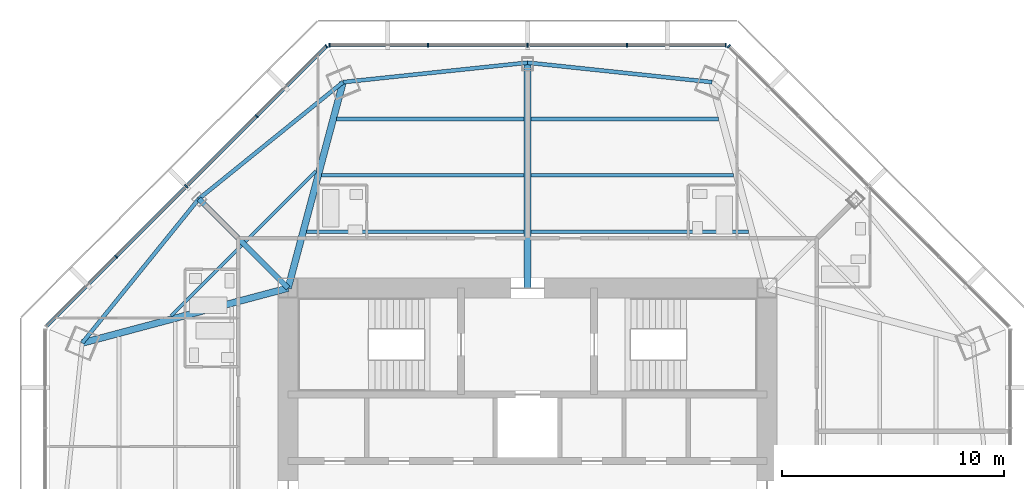
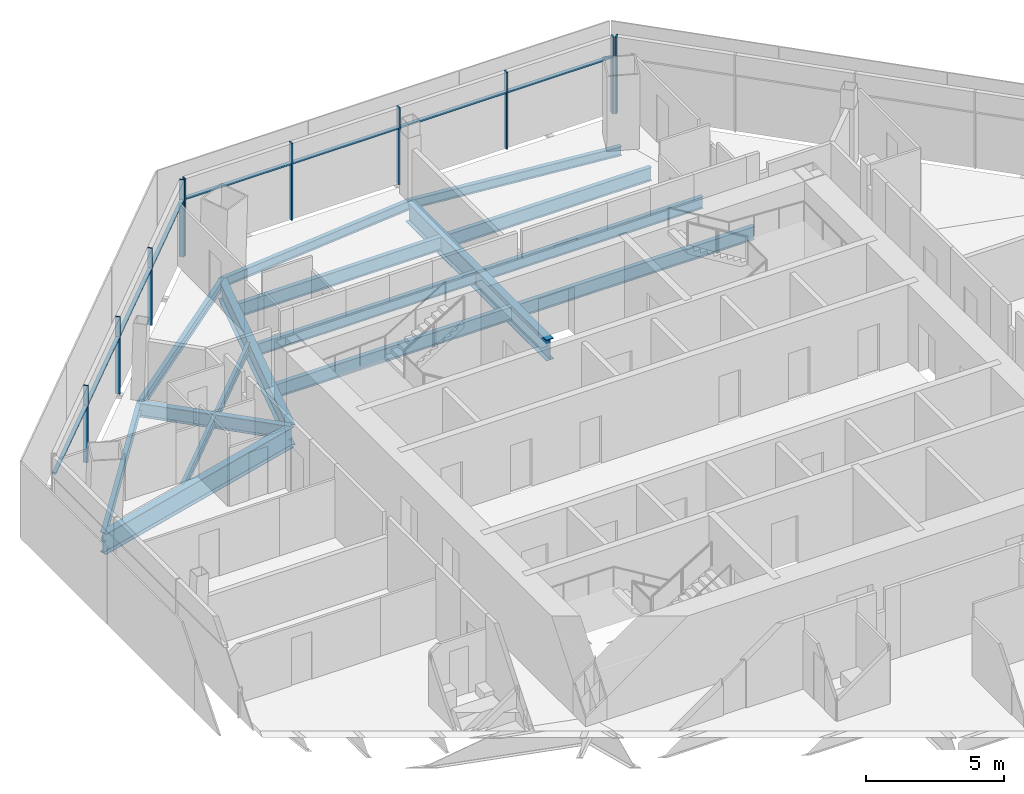
# One storey, part 5 of 15: 18 members, 16 beams, 3 elements without a shape of their own.
"""IFC4 building model written with IfcOpenShell, lengths in metres."""

from ifc_helpers import new_model, si_unit, direction, frame, origin, origin_2d, place, context, subcontext, project, spatial, rectangle, i_section, extrude, source, transform, mapped, material, material_profile, profile_set, type_object, type_shapes, element, aggregate, save


model = new_model("IFC4")

# Units and contexts
model_context = context("Model", 3, precision=1e-05, world=origin(), true_north=direction((0.0, 1.0)))
body_context = subcontext(model_context, "Body", "Model", "MODEL_VIEW")
ifc_project = project(units=[si_unit("LENGTHUNIT", "METRE"), si_unit("AREAUNIT", "SQUARE_METRE"), si_unit("VOLUMEUNIT", "CUBIC_METRE"), si_unit("PLANEANGLEUNIT", "RADIAN"), si_unit("MASSUNIT", "GRAM", prefix="KILO")], contexts=[model_context])

# Site, building, storey
site_placement = place(None, origin())
site = spatial("IfcSite", under=ifc_project, at=site_placement, CompositionType="ELEMENT")
building_placement = place(site_placement, origin())
building = spatial("IfcBuilding", under=site, at=building_placement, Name="Mashrafa Tower", CompositionType="ELEMENT")
storey_placement = place(building_placement, frame((0.0, 0.0, 221.0)))
storey = spatial("IfcBuildingStorey", under=building, at=storey_placement, Name="L51", CompositionType="ELEMENT", Elevation=221.0)

# Beams
ifc_material_1 = material(Name="Steel ASTM A992", Category="steel")
ifc_material_profile_1 = material_profile(ifc_material_1, i_section(OverallWidth=0.140380859375, OverallDepth=0.40380859375, WebThickness=0.007080078125, FlangeThickness=0.01123046875, FilletRadius=0.01025390625, at=origin_2d()), Name="W16X31")
ifc_profile_set_1 = profile_set([ifc_material_profile_1], Name="Steel ASTM A992")
beam_type_1 = type_object("IfcBeamType", Name="Beam W16X31", PredefinedType="BEAM", material=ifc_profile_set_1)
for number, where, z_axis, x_axis, name in (
    (1, (-16.076904296875, 9.550048828125, -0.40185546875), (0.707106781187, 0.707106781187, 0.0), (-0.707106781187, 0.707106781187, 0.0), "Floor beam L51 003"),
    (2, (-12.732421875, 12.89453125, -0.40185546875), (0.707106781187, 0.707106781187, 0.0), (-0.707106781187, 0.707106781187, 0.0), "Floor beam L51 009"),
):
    element("IfcBeam", number, at=place(storey_placement, frame(where, z_axis=z_axis, x_axis=x_axis)), inside=storey, type_object=beam_type_1, Name=name, PredefinedType="BEAM", context=body_context, shape_type="SweptSolid", body=[
        extrude(i_section(OverallWidth=0.140380859375, OverallDepth=0.40380859375, WebThickness=0.007080078125, FlangeThickness=0.01123046875, FilletRadius=0.01025390625, at=origin_2d()), origin(), (0.0, 0.0, 1.0), 4.50048828125),
    ])
ifc_material_2 = material(Name="Steel ASTM A992", Category="steel")
ifc_material_profile_2 = material_profile(ifc_material_2, i_section(OverallWidth=0.177734375, OverallDepth=0.406494140625, WebThickness=0.0078125, FlangeThickness=0.012939453125, FilletRadius=0.01025390625, at=origin_2d()), Name="W16X40")
ifc_profile_set_2 = profile_set([ifc_material_profile_2], Name="Steel ASTM A992")
beam_type_2 = type_object("IfcBeamType", Name="Beam W16X40", PredefinedType="BEAM", material=ifc_profile_set_2)
for number, where, z_axis, x_axis, name in (
    (3, (-14.826904296875, 14.826904296875, -0.4033203125), (-0.629008525016, -0.777398402016, 0.0), (0.777398402016, -0.629008525016, 0.0), "Spandrel beam L51 053"),
    (4, (-8.32177734375, 20.09033203125, -0.4033203125), (-0.777398402016, -0.629008525016, 0.0), (0.629008525016, -0.777398402016, 0.0), "Spandrel beam L51 055"),
    (5, (0.0, 20.968505859375, -0.4033203125), (-0.994478081914, -0.104944483385, 0.0), (0.104944483385, -0.994478081914, 0.0), "Spandrel beam L51 057"),
    (6, (8.32177734375, 20.09033203125, -0.4033203125), (-0.994478081914, 0.104944483385, 0.0), (-0.104944483385, -0.994478081914, 0.0), "Spandrel beam L51 059"),
):
    element("IfcBeam", number, at=place(storey_placement, frame(where, z_axis=z_axis, x_axis=x_axis)), inside=storey, type_object=beam_type_2, Name=name, PredefinedType="BEAM", context=body_context, shape_type="SweptSolid", body=[
        extrude(i_section(OverallWidth=0.177734375, OverallDepth=0.406494140625, WebThickness=0.0078125, FlangeThickness=0.012939453125, FilletRadius=0.01025390625, at=origin_2d()), origin(), (0.0, 0.0, 1.0), 8.367919921875),
    ])
ifc_material_3 = material(Name="Steel ASTM A992", Category="steel")
ifc_material_profile_3 = material_profile(ifc_material_3, i_section(OverallWidth=0.1650390625, OverallDepth=0.52587890625, WebThickness=0.0087890625, FlangeThickness=0.011474609375, FilletRadius=0.0126953125, at=origin_2d()), Name="W21X44")
ifc_profile_set_3 = profile_set([ifc_material_profile_3], Name="Steel ASTM A992")
beam_type_3 = type_object("IfcBeamType", Name="Beam W21X44", PredefinedType="BEAM", material=ifc_profile_set_3)
for number, where, z_axis, x_axis, name in (
    (7, (-9.285888671875, 15.88427734375, -0.462890625), (1.0, 0.0, 0.0), (0.0, 1.0, 0.0), "Floor beam L51 011"),
    (8, (0.15380859375, 15.88427734375, -0.462890625), (1.0, 0.0, 0.0), (0.0, 1.0, 0.0), "Floor beam L51 018"),
):
    element("IfcBeam", number, at=place(storey_placement, frame(where, z_axis=z_axis, x_axis=x_axis)), inside=storey, type_object=beam_type_3, Name=name, PredefinedType="BEAM", context=body_context, shape_type="SweptSolid", body=[
        extrude(i_section(OverallWidth=0.1650390625, OverallDepth=0.52587890625, WebThickness=0.0087890625, FlangeThickness=0.011474609375, FilletRadius=0.0126953125, at=origin_2d()), origin(), (0.0, 0.0, 1.0), 9.132080078125),
    ])
ifc_material_4 = material(Name="Steel ASTM A992", Category="steel")
ifc_material_profile_4 = material_profile(ifc_material_4, i_section(OverallWidth=0.177978515625, OverallDepth=0.599365234375, WebThickness=0.010009765625, FlangeThickness=0.012939453125, FilletRadius=0.012939453125, at=origin_2d()), Name="W24X55")
ifc_profile_set_4 = profile_set([ifc_material_profile_4], Name="Steel ASTM A992")
beam_type_4 = type_object("IfcBeamType", Name="Beam W24X55", PredefinedType="BEAM", material=ifc_profile_set_4)
beam_1_placement = place(storey_placement, frame((-9.964111328125, 13.34228515625, -0.499755859375), z_axis=(1.0, 0.0, 0.0), x_axis=(0.0, 1.0, 0.0)))
element("IfcBeam", 9, at=beam_1_placement, inside=storey, type_object=beam_type_4, Name="Floor beam L51 010", PredefinedType="BEAM", context=body_context, shape_type="SweptSolid", body=[
    extrude(i_section(OverallWidth=0.177978515625, OverallDepth=0.599365234375, WebThickness=0.010009765625, FlangeThickness=0.012939453125, FilletRadius=0.012939453125, at=origin_2d()), origin(), (0.0, 0.0, 1.0), 9.810302734375),
])
beam_2_placement = place(storey_placement, frame((-8.60791015625, 18.426513671875, -0.499755859375), z_axis=(1.0, 0.0, 0.0), x_axis=(0.0, 1.0, 0.0)))
element("IfcBeam", 10, at=beam_2_placement, inside=storey, type_object=beam_type_4, Name="Floor beam L51 013", PredefinedType="BEAM", context=body_context, shape_type="SweptSolid", body=[
    extrude(i_section(OverallWidth=0.177978515625, OverallDepth=0.599365234375, WebThickness=0.010009765625, FlangeThickness=0.012939453125, FilletRadius=0.012939453125, at=origin_2d()), origin(), (0.0, 0.0, 1.0), 8.4541015625),
])
beam_3_placement = place(storey_placement, frame((0.15380859375, 13.34228515625, -0.499755859375), z_axis=(1.0, 0.0, 0.0), x_axis=(0.0, 1.0, 0.0)))
element("IfcBeam", 11, at=beam_3_placement, inside=storey, type_object=beam_type_4, Name="Floor beam L51 017", PredefinedType="BEAM", context=body_context, shape_type="SweptSolid", body=[
    extrude(i_section(OverallWidth=0.177978515625, OverallDepth=0.599365234375, WebThickness=0.010009765625, FlangeThickness=0.012939453125, FilletRadius=0.012939453125, at=origin_2d()), origin(), (0.0, 0.0, 1.0), 9.810302734375),
])
beam_4_placement = place(storey_placement, frame((0.15380859375, 18.426513671875, -0.499755859375), z_axis=(1.0, 0.0, 0.0), x_axis=(0.0, 1.0, 0.0)))
element("IfcBeam", 12, at=beam_4_placement, inside=storey, type_object=beam_type_4, Name="Floor beam L51 019", PredefinedType="BEAM", context=body_context, shape_type="SweptSolid", body=[
    extrude(i_section(OverallWidth=0.177978515625, OverallDepth=0.599365234375, WebThickness=0.010009765625, FlangeThickness=0.012939453125, FilletRadius=0.012939453125, at=origin_2d()), origin(), (0.0, 0.0, 1.0), 8.4541015625),
])
ifc_material_5 = material(Name="Steel ASTM A992", Category="steel")
ifc_material_profile_5 = material_profile(ifc_material_5, i_section(OverallWidth=0.22900390625, OverallDepth=0.612060546875, WebThickness=0.011962890625, FlangeThickness=0.01953125, FilletRadius=0.0126953125, at=origin_2d()), Name="W24X84")
ifc_profile_set_5 = profile_set([ifc_material_profile_5], Name="Steel ASTM A992")
beam_type_5 = type_object("IfcBeamType", Name="Beam W24X84", PredefinedType="BEAM", material=ifc_profile_set_5)
beam_5_placement = place(storey_placement, frame((-10.800048828125, 10.800048828125, -0.506103515625), z_axis=(-0.707106781187, 0.707106781187, 0.0), x_axis=(-0.707106781187, -0.707106781187, 0.0)))
element("IfcBeam", 13, at=beam_5_placement, inside=storey, type_object=beam_type_5, Name="Radial girder L51 038", PredefinedType="BEAM", context=body_context, shape_type="SweptSolid", body=[
    extrude(i_section(OverallWidth=0.22900390625, OverallDepth=0.612060546875, WebThickness=0.011962890625, FlangeThickness=0.01953125, FilletRadius=0.0126953125, at=origin_2d()), origin(), (0.0, 0.0, 1.0), 5.69482421875),
])
ifc_material_6 = material(Name="Steel ASTM A992", Category="steel")
ifc_material_profile_6 = material_profile(ifc_material_6, i_section(OverallWidth=0.3046875, OverallDepth=0.911865234375, WebThickness=0.015869140625, FlangeThickness=0.02392578125, FilletRadius=0.01904296875, at=origin_2d()), Name="W36X150")
ifc_profile_set_6 = profile_set([ifc_material_profile_6], Name="Steel ASTM A992")
beam_type_6 = type_object("IfcBeamType", Name="Beam W36X150", PredefinedType="BEAM", material=ifc_profile_set_6)
for number, where, z_axis, x_axis, name in (
    (14, (-10.800048828125, 10.800048828125, -0.656005859375), (-0.966212600114, -0.257746409055, 0.0), (0.257746409055, -0.966212600114, 0.0), "Radial girder L51 037"),
    (15, (-10.800048828125, 10.800048828125, -0.656005859375), (0.257746409055, 0.966212600114, 0.0), (-0.966212600114, 0.257746409055, 0.0), "Radial girder L51 039"),
):
    element("IfcBeam", number, at=place(storey_placement, frame(where, z_axis=z_axis, x_axis=x_axis)), inside=storey, type_object=beam_type_6, Name=name, PredefinedType="BEAM", context=body_context, shape_type="SweptSolid", body=[
        extrude(i_section(OverallWidth=0.3046875, OverallDepth=0.911865234375, WebThickness=0.015869140625, FlangeThickness=0.02392578125, FilletRadius=0.01904296875, at=origin_2d()), origin(), (0.0, 0.0, 1.0), 9.615234375),
    ])
ifc_material_7 = material(Name="Steel ASTM A992", Category="steel")
ifc_material_profile_7 = material_profile(ifc_material_7, i_section(OverallWidth=0.307373046875, OverallDepth=0.927001953125, WebThickness=0.01953125, FlangeThickness=0.031982421875, FilletRadius=0.01904296875, at=origin_2d()), Name="W36X194")
ifc_profile_set_7 = profile_set([ifc_material_profile_7], Name="Steel ASTM A992")
beam_type_7 = type_object("IfcBeamType", Name="Beam W36X194", PredefinedType="BEAM", material=ifc_profile_set_7)
beam_6_placement = place(storey_placement, frame((0.0, 10.800048828125, -0.66357421875), z_axis=(0.0, 1.0, 0.0), x_axis=(-1.0, 0.0, 0.0)))
element("IfcBeam", 16, at=beam_6_placement, inside=storey, type_object=beam_type_7, Name="Radial girder L51 041", PredefinedType="BEAM", context=body_context, shape_type="SweptSolid", body=[
    extrude(i_section(OverallWidth=0.307373046875, OverallDepth=0.927001953125, WebThickness=0.01953125, FlangeThickness=0.031982421875, FilletRadius=0.01904296875, at=origin_2d()), origin(), (0.0, 0.0, 1.0), 10.16845703125),
])

# Curtain wall, member
ifc_material_8 = material(Name="Unitised aluminium curtain wall", Category="aluminium")
curtain_wall_type = type_object("IfcCurtainWallType", Name="Apartment curtain wall, zone 3 CW-C 180 deep", PredefinedType="NOTDEFINED", material=ifc_material_8)
curtain_wall_1_placement = place(storey_placement, origin())
curtain_wall_1 = element("IfcCurtainWall", 17, at=curtain_wall_1_placement, inside=storey, type_object=curtain_wall_type, Name="Apartment curtain wall, zone 3 L51 north-east", PredefinedType="NOTDEFINED")
ifc_material_9 = material(Name="Extruded aluminium mullion", Category="aluminium")
ifc_material_profile_8 = material_profile(ifc_material_9, rectangle(XDim=0.179931640625, YDim=0.06005859375, at=origin_2d()), Name="Mullion 60x180")
ifc_profile_set_8 = profile_set([ifc_material_profile_8], Name="Extruded aluminium mullion")
member_type_1 = type_object("IfcMemberType", Name="Mullion CW-C 60 x 180", PredefinedType="MULLION", material=ifc_profile_set_8)
shared_shape_1 = source(origin(), body_context, "Body", "SweptSolid", [
    extrude(rectangle(XDim=0.179931640625, YDim=0.06005859375, at=origin_2d()), origin(), (0.0, 0.0, 1.0), 3.39990234375),
])
type_shapes(member_type_1, [shared_shape_1])
member_1_placement = place(storey_placement, frame((9.069091796875, 21.708251953125, 0.0), z_axis=(0.0, 0.0, 1.0), x_axis=(-0.707106781187, -0.707106781187, 0.0)))
member_1 = element("IfcMember", 18, at=member_1_placement, type_object=member_type_1, Name="CW-C mullion 5", PredefinedType="MULLION", context=body_context, shape_type="MappedRepresentation", body=[
    mapped(shared_shape_1, transform((0.0, 0.0, 0.0))),
])
aggregate(curtain_wall_1, [member_1])

# Curtain wall, members
curtain_wall_2_placement = place(storey_placement, origin())
curtain_wall_2 = element("IfcCurtainWall", 19, at=curtain_wall_2_placement, inside=storey, type_object=curtain_wall_type, Name="Apartment curtain wall, zone 3 L51 north", PredefinedType="NOTDEFINED")
member_2_placement = place(storey_placement, frame((8.937255859375, 21.762939453125, 0.0), z_axis=(0.0, 0.0, 1.0), x_axis=(0.0, -1.0, 0.0)))
member_2 = element("IfcMember", 20, at=member_2_placement, type_object=member_type_1, Name="CW-C mullion 1", PredefinedType="MULLION", context=body_context, shape_type="MappedRepresentation", body=[
    mapped(shared_shape_1, transform((0.0, 0.0, 0.0))),
])
member_3_placement = place(storey_placement, frame((4.483642578125, 21.762939453125, 0.0), z_axis=(0.0, 0.0, 1.0), x_axis=(0.0, -1.0, 0.0)))
member_3 = element("IfcMember", 21, at=member_3_placement, type_object=member_type_1, Name="CW-C mullion 2", PredefinedType="MULLION", context=body_context, shape_type="MappedRepresentation", body=[
    mapped(shared_shape_1, transform((0.0, 0.0, 0.0))),
])
member_4_placement = place(storey_placement, frame((0.0, 21.762939453125, 0.0), z_axis=(0.0, 0.0, 1.0), x_axis=(0.0, -1.0, 0.0)))
member_4 = element("IfcMember", 22, at=member_4_placement, type_object=member_type_1, Name="CW-C mullion 3", PredefinedType="MULLION", context=body_context, shape_type="MappedRepresentation", body=[
    mapped(shared_shape_1, transform((0.0, 0.0, 0.0))),
])
member_5_placement = place(storey_placement, frame((-4.483642578125, 21.762939453125, 0.0), z_axis=(0.0, 0.0, 1.0), x_axis=(0.0, -1.0, 0.0)))
member_5 = element("IfcMember", 23, at=member_5_placement, type_object=member_type_1, Name="CW-C mullion 4", PredefinedType="MULLION", context=body_context, shape_type="MappedRepresentation", body=[
    mapped(shared_shape_1, transform((0.0, 0.0, 0.0))),
])
member_6_placement = place(storey_placement, frame((-8.937255859375, 21.762939453125, 0.0), z_axis=(0.0, 0.0, 1.0), x_axis=(0.0, -1.0, 0.0)))
member_6 = element("IfcMember", 24, at=member_6_placement, type_object=member_type_1, Name="CW-C mullion 5", PredefinedType="MULLION", context=body_context, shape_type="MappedRepresentation", body=[
    mapped(shared_shape_1, transform((0.0, 0.0, 0.0))),
])

curtain_wall_3_placement = place(storey_placement, origin())
curtain_wall_3 = element("IfcCurtainWall", 25, at=curtain_wall_3_placement, inside=storey, type_object=curtain_wall_type, Name="Apartment curtain wall, zone 3 L51 north-west", PredefinedType="NOTDEFINED")
member_7_placement = place(storey_placement, frame((-9.069091796875, 21.708251953125, 0.0), z_axis=(0.0, 0.0, 1.0), x_axis=(0.707106781187, -0.707106781187, 0.0)))
member_7 = element("IfcMember", 26, at=member_7_placement, type_object=member_type_1, Name="CW-C mullion 1", PredefinedType="MULLION", context=body_context, shape_type="MappedRepresentation", body=[
    mapped(shared_shape_1, transform((0.0, 0.0, 0.0))),
])
member_8_placement = place(storey_placement, frame((-12.21826171875, 18.55908203125, 0.0), z_axis=(0.0, 0.0, 1.0), x_axis=(0.707106781187, -0.707106781187, 0.0)))
member_8 = element("IfcMember", 27, at=member_8_placement, type_object=member_type_1, Name="CW-C mullion 2", PredefinedType="MULLION", context=body_context, shape_type="MappedRepresentation", body=[
    mapped(shared_shape_1, transform((0.0, 0.0, 0.0))),
])
member_9_placement = place(storey_placement, frame((-15.388671875, 15.388671875, 0.0), z_axis=(0.0, 0.0, 1.0), x_axis=(0.707106781187, -0.707106781187, 0.0)))
member_9 = element("IfcMember", 28, at=member_9_placement, type_object=member_type_1, Name="CW-C mullion 3", PredefinedType="MULLION", context=body_context, shape_type="MappedRepresentation", body=[
    mapped(shared_shape_1, transform((0.0, 0.0, 0.0))),
])
member_10_placement = place(storey_placement, frame((-18.55908203125, 12.21826171875, 0.0), z_axis=(0.0, 0.0, 1.0), x_axis=(0.707106781187, -0.707106781187, 0.0)))
member_10 = element("IfcMember", 29, at=member_10_placement, type_object=member_type_1, Name="CW-C mullion 4", PredefinedType="MULLION", context=body_context, shape_type="MappedRepresentation", body=[
    mapped(shared_shape_1, transform((0.0, 0.0, 0.0))),
])

# Member
ifc_material_10 = material(Name="Extruded aluminium transom", Category="aluminium")
ifc_material_profile_9 = material_profile(ifc_material_10, rectangle(XDim=0.14404296875, YDim=0.074951171875, at=origin_2d()), Name="Transom 75x144")
ifc_profile_set_9 = profile_set([ifc_material_profile_9], Name="Extruded aluminium transom")
member_type_2 = type_object("IfcMemberType", Name="Transom CW-C 75 x 144", PredefinedType="MULLION", material=ifc_profile_set_9)
shared_shape_2 = source(origin(), body_context, "Body", "SweptSolid", [
    extrude(rectangle(XDim=0.14404296875, YDim=0.074951171875, at=origin_2d()), origin(), (0.0, 0.0, 1.0), 4.3935546875),
])
member_11_placement = place(storey_placement, frame((8.9072265625, 21.762939453125, 2.5), z_axis=(-1.0, 0.0, 0.0), x_axis=(0.0, -1.0, 0.0)))
member_11 = element("IfcMember", 30, at=member_11_placement, type_object=member_type_2, Name="CW-C transom 1", PredefinedType="MULLION", context=body_context, shape_type="MappedRepresentation", body=[
    mapped(shared_shape_2, transform((0.0, 0.0, 0.0))),
])

member_12_placement = place(storey_placement, frame((-4.513671875, 21.762939453125, 2.5), z_axis=(-1.0, 0.0, 0.0), x_axis=(0.0, -1.0, 0.0)))
member_12 = element("IfcMember", 31, at=member_12_placement, type_object=member_type_2, Name="CW-C transom 4", PredefinedType="MULLION", context=body_context, shape_type="MappedRepresentation", body=[
    mapped(shared_shape_2, transform((0.0, 0.0, 0.0))),
])

member_13_placement = place(storey_placement, frame((-9.09033203125, 21.68701171875, 2.5), z_axis=(-0.707106781187, -0.707106781187, 0.0), x_axis=(0.707106781187, -0.707106781187, 0.0)))
member_13 = element("IfcMember", 32, at=member_13_placement, type_object=member_type_2, Name="CW-C transom 1", PredefinedType="MULLION", context=body_context, shape_type="MappedRepresentation", body=[
    mapped(shared_shape_2, transform((0.0, 0.0, 0.0))),
])

member_14_placement = place(storey_placement, frame((-18.580322265625, 12.197021484375, 2.5), z_axis=(-0.707106781187, -0.707106781187, 0.0), x_axis=(0.707106781187, -0.707106781187, 0.0)))
member_14 = element("IfcMember", 33, at=member_14_placement, type_object=member_type_2, Name="CW-C transom 4", PredefinedType="MULLION", context=body_context, shape_type="MappedRepresentation", body=[
    mapped(shared_shape_2, transform((0.0, 0.0, 0.0))),
])

shared_shape_3 = source(origin(), body_context, "Body", "SweptSolid", [
    extrude(rectangle(XDim=0.14404296875, YDim=0.074951171875, at=origin_2d()), origin(), (0.0, 0.0, 1.0), 4.423583984375),
])
type_shapes(member_type_2, [shared_shape_2, shared_shape_3])
member_15_placement = place(storey_placement, frame((4.45361328125, 21.762939453125, 2.5), z_axis=(-1.0, 0.0, 0.0), x_axis=(0.0, -1.0, 0.0)))
member_15 = element("IfcMember", 34, at=member_15_placement, type_object=member_type_2, Name="CW-C transom 2", PredefinedType="MULLION", context=body_context, shape_type="MappedRepresentation", body=[
    mapped(shared_shape_3, transform((0.0, 0.0, 0.0))),
])

member_16_placement = place(storey_placement, frame((-0.030029296875, 21.762939453125, 2.5), z_axis=(-1.0, 0.0, 0.0), x_axis=(0.0, -1.0, 0.0)))
member_16 = element("IfcMember", 35, at=member_16_placement, type_object=member_type_2, Name="CW-C transom 3", PredefinedType="MULLION", context=body_context, shape_type="MappedRepresentation", body=[
    mapped(shared_shape_3, transform((0.0, 0.0, 0.0))),
])

aggregate(curtain_wall_2, [member_2, member_3, member_4, member_5, member_6, member_11, member_15, member_16, member_12])

member_17_placement = place(storey_placement, frame((-12.239501953125, 18.537841796875, 2.5), z_axis=(-0.707106781187, -0.707106781187, 0.0), x_axis=(0.707106781187, -0.707106781187, 0.0)))
member_17 = element("IfcMember", 36, at=member_17_placement, type_object=member_type_2, Name="CW-C transom 2", PredefinedType="MULLION", context=body_context, shape_type="MappedRepresentation", body=[
    mapped(shared_shape_3, transform((0.0, 0.0, 0.0))),
])

member_18_placement = place(storey_placement, frame((-15.409912109375, 15.367431640625, 2.5), z_axis=(-0.707106781187, -0.707106781187, 0.0), x_axis=(0.707106781187, -0.707106781187, 0.0)))
member_18 = element("IfcMember", 37, at=member_18_placement, type_object=member_type_2, Name="CW-C transom 3", PredefinedType="MULLION", context=body_context, shape_type="MappedRepresentation", body=[
    mapped(shared_shape_3, transform((0.0, 0.0, 0.0))),
])

aggregate(curtain_wall_3, [member_7, member_8, member_9, member_10, member_13, member_17, member_18, member_14])

save(model, "model.ifc")
